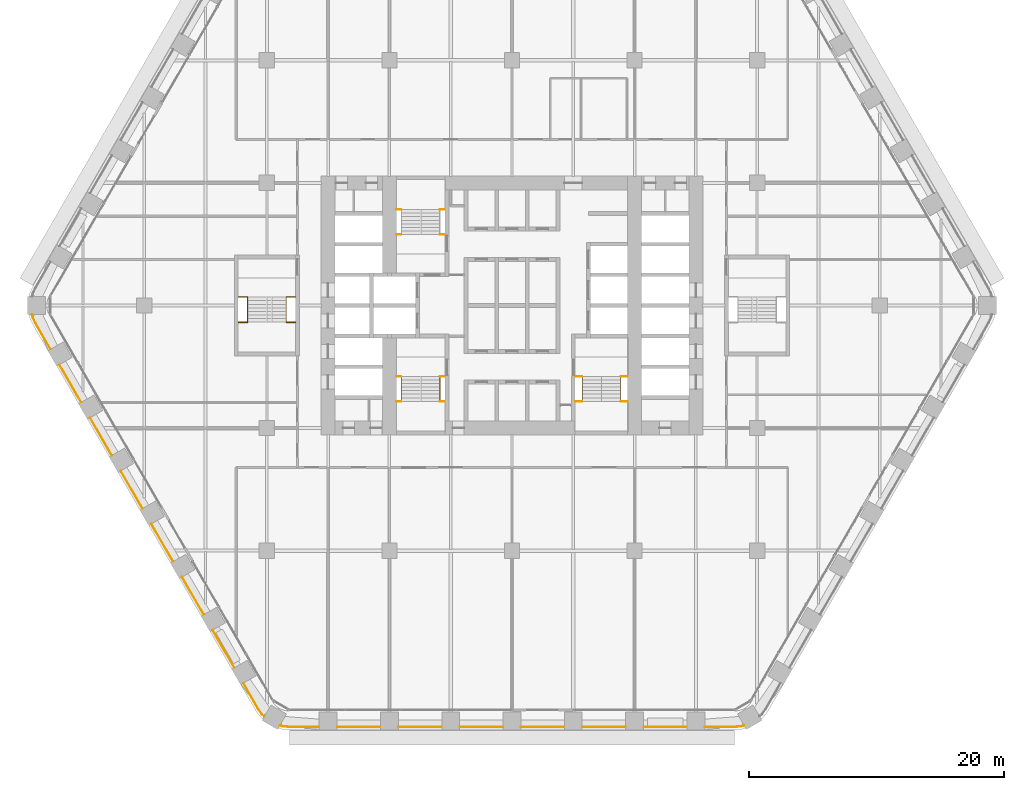
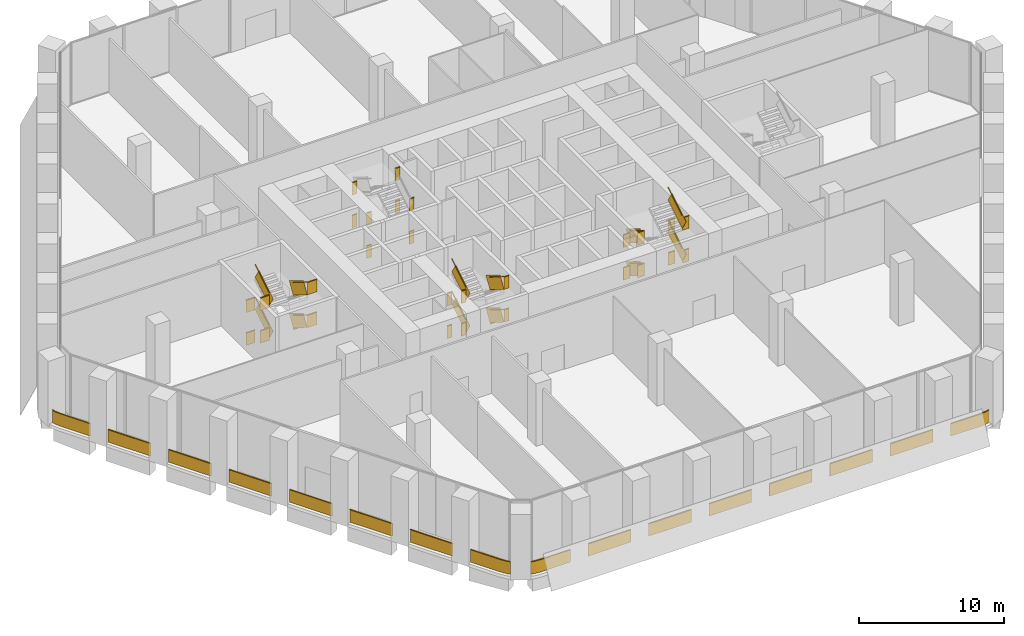
# One storey, part 26 of 27: 9 railings.
"""IFC4 building model written with IfcOpenShell, lengths in metres."""

from ifc_helpers import new_model, si_unit, direction, frame, frame_2d, origin, origin_2d, place, context, subcontext, project, spatial, rectangle, extrude, material, type_object, element, save


model = new_model("IFC4")

# Units and contexts
model_context = context("Model", 3, precision=1e-05, world=origin(), true_north=direction((0.0, 1.0)))
body_context = subcontext(model_context, "Body", "Model", "MODEL_VIEW")
ifc_project = project(units=[si_unit("LENGTHUNIT", "METRE"), si_unit("AREAUNIT", "SQUARE_METRE"), si_unit("VOLUMEUNIT", "CUBIC_METRE"), si_unit("PLANEANGLEUNIT", "RADIAN"), si_unit("MASSUNIT", "GRAM", prefix="KILO")], contexts=[model_context])

# Site, building, storey
site_placement = place(None, origin())
site = spatial("IfcSite", under=ifc_project, at=site_placement, CompositionType="ELEMENT")
building_placement = place(site_placement, origin())
building = spatial("IfcBuilding", under=site, at=building_placement, Name="Kolab Exchange Tower", CompositionType="ELEMENT")
storey_placement = place(building_placement, frame((0.0, 0.0, 27.89990234375)))
storey = spatial("IfcBuildingStorey", under=building, at=storey_placement, Name="L05", CompositionType="ELEMENT", Elevation=27.89990234375)

# Railings
ifc_material_1 = material(Name="Stainless steel 316", Category="steel")
railing_type_1 = type_object("IfcRailingType", Name="GUARD 1100", PredefinedType="GUARDRAIL", material=ifc_material_1)
railing_1_placement = place(storey_placement, frame((-9.050048828125, 5.550048828125, 0.0)))
element("IfcRailing", 1, at=railing_1_placement, inside=storey, type_object=railing_type_1, Name="Guard ST1", PredefinedType="GUARDRAIL", context=body_context, shape_type="SweptSolid", body=[
    extrude(rectangle(XDim=0.05, YDim=0.05, at=origin_2d()), frame((0.0, 0.0, 1.0751953125), z_axis=(1.0, 0.0, 0.0), x_axis=(0.0, 1.0, 0.0)), (0.0, 0.0, 1.0), 0.39013671875),
    extrude(rectangle(XDim=0.012, YDim=1.05009765625, at=frame_2d((0.0, 0.525146484375))), frame((0.0, 0.0, 0.0), z_axis=(1.0, 0.0, 0.0), x_axis=(0.0, 1.0, 0.0)), (0.0, 0.0, 1.0), 0.39013671875),
    extrude(rectangle(XDim=0.05, YDim=0.05, at=origin_2d()), frame((3.41015625, 0.0, 1.0751953125), z_axis=(1.0, 0.0, 0.0), x_axis=(0.0, 1.0, 0.0)), (0.0, 0.0, 1.0), 0.389892578125),
    extrude(rectangle(XDim=0.012, YDim=1.05009765625, at=frame_2d((0.0, 0.525146484375))), frame((3.41015625, 0.0, 0.0), z_axis=(1.0, 0.0, 0.0), x_axis=(0.0, 1.0, 0.0)), (0.0, 0.0, 1.0), 0.389892578125),
    extrude(rectangle(XDim=0.05, YDim=0.05, at=origin_2d()), frame((0.0, 1.9599609375, 2.4501953125), z_axis=(1.0, 0.0, 0.0), x_axis=(0.0, 1.0, 0.0)), (0.0, 0.0, 1.0), 0.39013671875),
    extrude(rectangle(XDim=0.012, YDim=1.05009765625, at=frame_2d((0.0, 0.525146484375))), frame((0.0, 1.9599609375, 1.375), z_axis=(1.0, 0.0, 0.0), x_axis=(0.0, 1.0, 0.0)), (0.0, 0.0, 1.0), 0.39013671875),
    extrude(rectangle(XDim=0.05, YDim=0.05, at=origin_2d()), frame((3.41015625, 1.9599609375, 2.4501953125), z_axis=(1.0, 0.0, 0.0), x_axis=(0.0, 1.0, 0.0)), (0.0, 0.0, 1.0), 0.389892578125),
    extrude(rectangle(XDim=0.012, YDim=1.05009765625, at=frame_2d((0.0, 0.525146484375))), frame((3.41015625, 1.9599609375, 1.375), z_axis=(1.0, 0.0, 0.0), x_axis=(0.0, 1.0, 0.0)), (0.0, 0.0, 1.0), 0.389892578125),
    extrude(rectangle(XDim=0.05, YDim=0.05, at=origin_2d()), frame((0.0, 0.0, 3.8251953125), z_axis=(1.0, 0.0, 0.0), x_axis=(0.0, 1.0, 0.0)), (0.0, 0.0, 1.0), 0.39013671875),
    extrude(rectangle(XDim=0.012, YDim=1.05009765625, at=frame_2d((0.0, 0.525146484375))), frame((0.0, 0.0, 2.75), z_axis=(1.0, 0.0, 0.0), x_axis=(0.0, 1.0, 0.0)), (0.0, 0.0, 1.0), 0.39013671875),
    extrude(rectangle(XDim=0.05, YDim=0.05, at=origin_2d()), frame((3.41015625, 0.0, 3.8251953125), z_axis=(1.0, 0.0, 0.0), x_axis=(0.0, 1.0, 0.0)), (0.0, 0.0, 1.0), 0.389892578125),
    extrude(rectangle(XDim=0.012, YDim=1.05009765625, at=frame_2d((0.0, 0.525146484375))), frame((3.41015625, 0.0, 2.75), z_axis=(1.0, 0.0, 0.0), x_axis=(0.0, 1.0, 0.0)), (0.0, 0.0, 1.0), 0.389892578125),
    extrude(rectangle(XDim=0.05, YDim=0.05, at=origin_2d()), frame((0.0, 1.9599609375, 5.2001953125), z_axis=(1.0, 0.0, 0.0), x_axis=(0.0, 1.0, 0.0)), (0.0, 0.0, 1.0), 0.39013671875),
    extrude(rectangle(XDim=0.012, YDim=1.05009765625, at=frame_2d((0.0, 0.525146484375))), frame((0.0, 1.9599609375, 4.125), z_axis=(1.0, 0.0, 0.0), x_axis=(0.0, 1.0, 0.0)), (0.0, 0.0, 1.0), 0.39013671875),
    extrude(rectangle(XDim=0.05, YDim=0.05, at=origin_2d()), frame((3.41015625, 1.9599609375, 5.2001953125), z_axis=(1.0, 0.0, 0.0), x_axis=(0.0, 1.0, 0.0)), (0.0, 0.0, 1.0), 0.389892578125),
    extrude(rectangle(XDim=0.012, YDim=1.05009765625, at=frame_2d((0.0, 0.525146484375))), frame((3.41015625, 1.9599609375, 4.125), z_axis=(1.0, 0.0, 0.0), x_axis=(0.0, 1.0, 0.0)), (0.0, 0.0, 1.0), 0.389892578125),
])
railing_2_placement = place(storey_placement, frame((-9.050048828125, -5.550048828125, 0.0)))
element("IfcRailing", 2, at=railing_2_placement, inside=storey, type_object=railing_type_1, Name="Guard ST3", PredefinedType="GUARDRAIL", context=body_context, shape_type="SweptSolid", body=[
    extrude(rectangle(XDim=0.05, YDim=0.05, at=origin_2d()), frame((0.0, 0.0, 1.0751953125), z_axis=(1.0, 0.0, 0.0), x_axis=(0.0, 1.0, 0.0)), (0.0, 0.0, 1.0), 0.39013671875),
    extrude(rectangle(XDim=0.012, YDim=1.05009765625, at=frame_2d((0.0, 0.525146484375))), frame((0.0, 0.0, 0.0), z_axis=(1.0, 0.0, 0.0), x_axis=(0.0, 1.0, 0.0)), (0.0, 0.0, 1.0), 0.39013671875),
    extrude(rectangle(XDim=0.05, YDim=0.05, at=origin_2d()), frame((3.41015625, 0.0, 1.0751953125), z_axis=(1.0, 0.0, 0.0), x_axis=(0.0, 1.0, 0.0)), (0.0, 0.0, 1.0), 0.389892578125),
    extrude(rectangle(XDim=0.012, YDim=1.05009765625, at=frame_2d((0.0, 0.525146484375))), frame((3.41015625, 0.0, 0.0), z_axis=(1.0, 0.0, 0.0), x_axis=(0.0, 1.0, 0.0)), (0.0, 0.0, 1.0), 0.389892578125),
    extrude(rectangle(XDim=0.05, YDim=0.05, at=origin_2d()), frame((0.0, -1.9599609375, 2.4501953125), z_axis=(1.0, 0.0, 0.0), x_axis=(0.0, 1.0, 0.0)), (0.0, 0.0, 1.0), 0.39013671875),
    extrude(rectangle(XDim=0.012, YDim=1.05009765625, at=frame_2d((0.0, 0.525146484375))), frame((0.0, -1.9599609375, 1.375), z_axis=(1.0, 0.0, 0.0), x_axis=(0.0, 1.0, 0.0)), (0.0, 0.0, 1.0), 0.39013671875),
    extrude(rectangle(XDim=0.05, YDim=0.05, at=origin_2d()), frame((3.41015625, -1.9599609375, 2.4501953125), z_axis=(1.0, 0.0, 0.0), x_axis=(0.0, 1.0, 0.0)), (0.0, 0.0, 1.0), 0.389892578125),
    extrude(rectangle(XDim=0.012, YDim=1.05009765625, at=frame_2d((0.0, 0.525146484375))), frame((3.41015625, -1.9599609375, 1.375), z_axis=(1.0, 0.0, 0.0), x_axis=(0.0, 1.0, 0.0)), (0.0, 0.0, 1.0), 0.389892578125),
    extrude(rectangle(XDim=0.05, YDim=0.05, at=origin_2d()), frame((0.0, 0.0, 3.8251953125), z_axis=(1.0, 0.0, 0.0), x_axis=(0.0, 1.0, 0.0)), (0.0, 0.0, 1.0), 0.39013671875),
    extrude(rectangle(XDim=0.012, YDim=1.05009765625, at=frame_2d((0.0, 0.525146484375))), frame((0.0, 0.0, 2.75), z_axis=(1.0, 0.0, 0.0), x_axis=(0.0, 1.0, 0.0)), (0.0, 0.0, 1.0), 0.39013671875),
    extrude(rectangle(XDim=0.05, YDim=0.05, at=origin_2d()), frame((3.41015625, 0.0, 3.8251953125), z_axis=(1.0, 0.0, 0.0), x_axis=(0.0, 1.0, 0.0)), (0.0, 0.0, 1.0), 0.389892578125),
    extrude(rectangle(XDim=0.012, YDim=1.05009765625, at=frame_2d((0.0, 0.525146484375))), frame((3.41015625, 0.0, 2.75), z_axis=(1.0, 0.0, 0.0), x_axis=(0.0, 1.0, 0.0)), (0.0, 0.0, 1.0), 0.389892578125),
    extrude(rectangle(XDim=0.05, YDim=0.05, at=origin_2d()), frame((0.0, -1.9599609375, 5.2001953125), z_axis=(1.0, 0.0, 0.0), x_axis=(0.0, 1.0, 0.0)), (0.0, 0.0, 1.0), 0.39013671875),
    extrude(rectangle(XDim=0.012, YDim=1.05009765625, at=frame_2d((0.0, 0.525146484375))), frame((0.0, -1.9599609375, 4.125), z_axis=(1.0, 0.0, 0.0), x_axis=(0.0, 1.0, 0.0)), (0.0, 0.0, 1.0), 0.39013671875),
    extrude(rectangle(XDim=0.05, YDim=0.05, at=origin_2d()), frame((3.41015625, -1.9599609375, 5.2001953125), z_axis=(1.0, 0.0, 0.0), x_axis=(0.0, 1.0, 0.0)), (0.0, 0.0, 1.0), 0.389892578125),
    extrude(rectangle(XDim=0.012, YDim=1.05009765625, at=frame_2d((0.0, 0.525146484375))), frame((3.41015625, -1.9599609375, 4.125), z_axis=(1.0, 0.0, 0.0), x_axis=(0.0, 1.0, 0.0)), (0.0, 0.0, 1.0), 0.389892578125),
])
railing_3_placement = place(storey_placement, frame((-5.639892578125, -5.550048828125, 0.172119140625)))
element("IfcRailing", 3, at=railing_3_placement, inside=storey, type_object=railing_type_1, Name="Handrail guard ST3", PredefinedType="GUARDRAIL", context=body_context, shape_type="SweptSolid", body=[
    extrude(rectangle(XDim=0.05, YDim=0.05, at=origin_2d()), frame((0.0, 0.0, 1.0751953125), z_axis=(0.0, -0.852288308005, 0.523072308613), x_axis=(1.0, 0.0, 0.0)), (0.0, 0.0, 1.0), 2.299560546875),
    extrude(rectangle(XDim=0.012, YDim=1.05009765625, at=frame_2d((0.0, 0.525146484375))), frame((0.0, 0.0, 0.0), z_axis=(0.0, -0.852288308005, 0.523072308613), x_axis=(1.0, 0.0, 0.0)), (0.0, 0.0, 1.0), 2.299560546875),
    extrude(rectangle(XDim=0.05, YDim=0.05, at=origin_2d()), frame((-3.02001953125, -1.9599609375, 2.4501953125), z_axis=(0.0, 0.852288308005, 0.523072308613), x_axis=(-1.0, 0.0, 0.0)), (0.0, 0.0, 1.0), 2.299560546875),
    extrude(rectangle(XDim=0.012, YDim=1.05009765625, at=frame_2d((0.0, 0.525146484375))), frame((-3.02001953125, -1.9599609375, 1.375), z_axis=(0.0, 0.852288308005, 0.523072308613), x_axis=(-1.0, 0.0, 0.0)), (0.0, 0.0, 1.0), 2.299560546875),
    extrude(rectangle(XDim=0.05, YDim=0.05, at=origin_2d()), frame((0.0, 0.0, 3.8251953125), z_axis=(0.0, -0.852288308005, 0.523072308613), x_axis=(1.0, 0.0, 0.0)), (0.0, 0.0, 1.0), 2.299560546875),
    extrude(rectangle(XDim=0.012, YDim=1.05009765625, at=frame_2d((0.0, 0.525146484375))), frame((0.0, 0.0, 2.75), z_axis=(0.0, -0.852288308005, 0.523072308613), x_axis=(1.0, 0.0, 0.0)), (0.0, 0.0, 1.0), 2.299560546875),
    extrude(rectangle(XDim=0.05, YDim=0.05, at=origin_2d()), frame((-3.02001953125, -1.9599609375, 5.2001953125), z_axis=(0.0, 0.852288308005, 0.523072308613), x_axis=(-1.0, 0.0, 0.0)), (0.0, 0.0, 1.0), 2.299560546875),
    extrude(rectangle(XDim=0.012, YDim=1.05009765625, at=frame_2d((0.0, 0.525146484375))), frame((-3.02001953125, -1.9599609375, 4.125), z_axis=(0.0, 0.852288308005, 0.523072308613), x_axis=(-1.0, 0.0, 0.0)), (0.0, 0.0, 1.0), 2.299560546875),
])
railing_4_placement = place(storey_placement, frame((4.949951171875, -5.550048828125, 0.0)))
element("IfcRailing", 4, at=railing_4_placement, inside=storey, type_object=railing_type_1, Name="Guard ST2", PredefinedType="GUARDRAIL", context=body_context, shape_type="SweptSolid", body=[
    extrude(rectangle(XDim=0.05, YDim=0.05, at=origin_2d()), frame((0.0, 0.0, 1.0751953125), z_axis=(1.0, 0.0, 0.0), x_axis=(0.0, 1.0, 0.0)), (0.0, 0.0, 1.0), 0.5400390625),
    extrude(rectangle(XDim=0.012, YDim=1.05009765625, at=frame_2d((0.0, 0.525146484375))), frame((0.0, 0.0, 0.0), z_axis=(1.0, 0.0, 0.0), x_axis=(0.0, 1.0, 0.0)), (0.0, 0.0, 1.0), 0.5400390625),
    extrude(rectangle(XDim=0.05, YDim=0.05, at=origin_2d()), frame((3.56005859375, 0.0, 1.0751953125), z_axis=(1.0, 0.0, 0.0), x_axis=(0.0, 1.0, 0.0)), (0.0, 0.0, 1.0), 0.5400390625),
    extrude(rectangle(XDim=0.012, YDim=1.05009765625, at=frame_2d((0.0, 0.525146484375))), frame((3.56005859375, 0.0, 0.0), z_axis=(1.0, 0.0, 0.0), x_axis=(0.0, 1.0, 0.0)), (0.0, 0.0, 1.0), 0.5400390625),
    extrude(rectangle(XDim=0.05, YDim=0.05, at=origin_2d()), frame((0.0, -1.9599609375, 2.4501953125), z_axis=(1.0, 0.0, 0.0), x_axis=(0.0, 1.0, 0.0)), (0.0, 0.0, 1.0), 0.5400390625),
    extrude(rectangle(XDim=0.012, YDim=1.05009765625, at=frame_2d((0.0, 0.525146484375))), frame((0.0, -1.9599609375, 1.375), z_axis=(1.0, 0.0, 0.0), x_axis=(0.0, 1.0, 0.0)), (0.0, 0.0, 1.0), 0.5400390625),
    extrude(rectangle(XDim=0.05, YDim=0.05, at=origin_2d()), frame((3.56005859375, -1.9599609375, 2.4501953125), z_axis=(1.0, 0.0, 0.0), x_axis=(0.0, 1.0, 0.0)), (0.0, 0.0, 1.0), 0.5400390625),
    extrude(rectangle(XDim=0.012, YDim=1.05009765625, at=frame_2d((0.0, 0.525146484375))), frame((3.56005859375, -1.9599609375, 1.375), z_axis=(1.0, 0.0, 0.0), x_axis=(0.0, 1.0, 0.0)), (0.0, 0.0, 1.0), 0.5400390625),
    extrude(rectangle(XDim=0.05, YDim=0.05, at=origin_2d()), frame((0.0, 0.0, 3.8251953125), z_axis=(1.0, 0.0, 0.0), x_axis=(0.0, 1.0, 0.0)), (0.0, 0.0, 1.0), 0.5400390625),
    extrude(rectangle(XDim=0.012, YDim=1.05009765625, at=frame_2d((0.0, 0.525146484375))), frame((0.0, 0.0, 2.75), z_axis=(1.0, 0.0, 0.0), x_axis=(0.0, 1.0, 0.0)), (0.0, 0.0, 1.0), 0.5400390625),
    extrude(rectangle(XDim=0.05, YDim=0.05, at=origin_2d()), frame((3.56005859375, 0.0, 3.8251953125), z_axis=(1.0, 0.0, 0.0), x_axis=(0.0, 1.0, 0.0)), (0.0, 0.0, 1.0), 0.5400390625),
    extrude(rectangle(XDim=0.012, YDim=1.05009765625, at=frame_2d((0.0, 0.525146484375))), frame((3.56005859375, 0.0, 2.75), z_axis=(1.0, 0.0, 0.0), x_axis=(0.0, 1.0, 0.0)), (0.0, 0.0, 1.0), 0.5400390625),
    extrude(rectangle(XDim=0.05, YDim=0.05, at=origin_2d()), frame((0.0, -1.9599609375, 5.2001953125), z_axis=(1.0, 0.0, 0.0), x_axis=(0.0, 1.0, 0.0)), (0.0, 0.0, 1.0), 0.5400390625),
    extrude(rectangle(XDim=0.012, YDim=1.05009765625, at=frame_2d((0.0, 0.525146484375))), frame((0.0, -1.9599609375, 4.125), z_axis=(1.0, 0.0, 0.0), x_axis=(0.0, 1.0, 0.0)), (0.0, 0.0, 1.0), 0.5400390625),
    extrude(rectangle(XDim=0.05, YDim=0.05, at=origin_2d()), frame((3.56005859375, -1.9599609375, 5.2001953125), z_axis=(1.0, 0.0, 0.0), x_axis=(0.0, 1.0, 0.0)), (0.0, 0.0, 1.0), 0.5400390625),
    extrude(rectangle(XDim=0.012, YDim=1.05009765625, at=frame_2d((0.0, 0.525146484375))), frame((3.56005859375, -1.9599609375, 4.125), z_axis=(1.0, 0.0, 0.0), x_axis=(0.0, 1.0, 0.0)), (0.0, 0.0, 1.0), 0.5400390625),
])
railing_5_placement = place(storey_placement, frame((5.489990234375, -5.550048828125, 0.172119140625)))
element("IfcRailing", 5, at=railing_5_placement, inside=storey, type_object=railing_type_1, Name="Handrail guard ST2", PredefinedType="GUARDRAIL", context=body_context, shape_type="SweptSolid", body=[
    extrude(rectangle(XDim=0.05, YDim=0.05, at=origin_2d()), frame((0.0, 0.0, 1.0751953125), z_axis=(0.0, -0.852288308005, 0.523072308613), x_axis=(1.0, 0.0, 0.0)), (0.0, 0.0, 1.0), 2.299560546875),
    extrude(rectangle(XDim=0.012, YDim=1.05009765625, at=frame_2d((0.0, 0.525146484375))), frame((0.0, 0.0, 0.0), z_axis=(0.0, -0.852288308005, 0.523072308613), x_axis=(1.0, 0.0, 0.0)), (0.0, 0.0, 1.0), 2.299560546875),
    extrude(rectangle(XDim=0.05, YDim=0.05, at=origin_2d()), frame((3.02001953125, -1.9599609375, 2.4501953125), z_axis=(0.0, 0.852288308005, 0.523072308613), x_axis=(-1.0, 0.0, 0.0)), (0.0, 0.0, 1.0), 2.299560546875),
    extrude(rectangle(XDim=0.012, YDim=1.05009765625, at=frame_2d((0.0, 0.525146484375))), frame((3.02001953125, -1.9599609375, 1.375), z_axis=(0.0, 0.852288308005, 0.523072308613), x_axis=(-1.0, 0.0, 0.0)), (0.0, 0.0, 1.0), 2.299560546875),
    extrude(rectangle(XDim=0.05, YDim=0.05, at=origin_2d()), frame((0.0, 0.0, 3.8251953125), z_axis=(0.0, -0.852288308005, 0.523072308613), x_axis=(1.0, 0.0, 0.0)), (0.0, 0.0, 1.0), 2.299560546875),
    extrude(rectangle(XDim=0.012, YDim=1.05009765625, at=frame_2d((0.0, 0.525146484375))), frame((0.0, 0.0, 2.75), z_axis=(0.0, -0.852288308005, 0.523072308613), x_axis=(1.0, 0.0, 0.0)), (0.0, 0.0, 1.0), 2.299560546875),
    extrude(rectangle(XDim=0.05, YDim=0.05, at=origin_2d()), frame((3.02001953125, -1.9599609375, 5.2001953125), z_axis=(0.0, 0.852288308005, 0.523072308613), x_axis=(-1.0, 0.0, 0.0)), (0.0, 0.0, 1.0), 2.299560546875),
    extrude(rectangle(XDim=0.012, YDim=1.05009765625, at=frame_2d((0.0, 0.525146484375))), frame((3.02001953125, -1.9599609375, 4.125), z_axis=(0.0, 0.852288308005, 0.523072308613), x_axis=(-1.0, 0.0, 0.0)), (0.0, 0.0, 1.0), 2.299560546875),
])
railing_6_placement = place(storey_placement, frame((-21.449951171875, 0.64990234375, 0.0)))
element("IfcRailing", 6, at=railing_6_placement, inside=storey, type_object=railing_type_1, Name="Guard ST5", PredefinedType="GUARDRAIL", context=body_context, shape_type="SweptSolid", body=[
    extrude(rectangle(XDim=0.05, YDim=0.05, at=origin_2d()), frame((0.0, 0.0, 1.0751953125), z_axis=(1.0, 0.0, 0.0), x_axis=(0.0, 1.0, 0.0)), (0.0, 0.0, 1.0), 0.739990234375),
    extrude(rectangle(XDim=0.012, YDim=1.05009765625, at=frame_2d((0.0, 0.525146484375))), frame((0.0, 0.0, 0.0), z_axis=(1.0, 0.0, 0.0), x_axis=(0.0, 1.0, 0.0)), (0.0, 0.0, 1.0), 0.739990234375),
    extrude(rectangle(XDim=0.05, YDim=0.05, at=origin_2d()), frame((3.760009765625, 0.0, 1.0751953125), z_axis=(1.0, 0.0, 0.0), x_axis=(0.0, 1.0, 0.0)), (0.0, 0.0, 1.0), 0.739990234375),
    extrude(rectangle(XDim=0.012, YDim=1.05009765625, at=frame_2d((0.0, 0.525146484375))), frame((3.760009765625, 0.0, 0.0), z_axis=(1.0, 0.0, 0.0), x_axis=(0.0, 1.0, 0.0)), (0.0, 0.0, 1.0), 0.739990234375),
    extrude(rectangle(XDim=0.05, YDim=0.05, at=origin_2d()), frame((0.0, -1.9599609375, 2.4501953125), z_axis=(1.0, 0.0, 0.0), x_axis=(0.0, 1.0, 0.0)), (0.0, 0.0, 1.0), 0.739990234375),
    extrude(rectangle(XDim=0.012, YDim=1.05009765625, at=frame_2d((0.0, 0.525146484375))), frame((0.0, -1.9599609375, 1.375), z_axis=(1.0, 0.0, 0.0), x_axis=(0.0, 1.0, 0.0)), (0.0, 0.0, 1.0), 0.739990234375),
    extrude(rectangle(XDim=0.05, YDim=0.05, at=origin_2d()), frame((3.760009765625, -1.9599609375, 2.4501953125), z_axis=(1.0, 0.0, 0.0), x_axis=(0.0, 1.0, 0.0)), (0.0, 0.0, 1.0), 0.739990234375),
    extrude(rectangle(XDim=0.012, YDim=1.05009765625, at=frame_2d((0.0, 0.525146484375))), frame((3.760009765625, -1.9599609375, 1.375), z_axis=(1.0, 0.0, 0.0), x_axis=(0.0, 1.0, 0.0)), (0.0, 0.0, 1.0), 0.739990234375),
    extrude(rectangle(XDim=0.05, YDim=0.05, at=origin_2d()), frame((0.0, 0.0, 3.8251953125), z_axis=(1.0, 0.0, 0.0), x_axis=(0.0, 1.0, 0.0)), (0.0, 0.0, 1.0), 0.739990234375),
    extrude(rectangle(XDim=0.012, YDim=1.05009765625, at=frame_2d((0.0, 0.525146484375))), frame((0.0, 0.0, 2.75), z_axis=(1.0, 0.0, 0.0), x_axis=(0.0, 1.0, 0.0)), (0.0, 0.0, 1.0), 0.739990234375),
    extrude(rectangle(XDim=0.05, YDim=0.05, at=origin_2d()), frame((3.760009765625, 0.0, 3.8251953125), z_axis=(1.0, 0.0, 0.0), x_axis=(0.0, 1.0, 0.0)), (0.0, 0.0, 1.0), 0.739990234375),
    extrude(rectangle(XDim=0.012, YDim=1.05009765625, at=frame_2d((0.0, 0.525146484375))), frame((3.760009765625, 0.0, 2.75), z_axis=(1.0, 0.0, 0.0), x_axis=(0.0, 1.0, 0.0)), (0.0, 0.0, 1.0), 0.739990234375),
    extrude(rectangle(XDim=0.05, YDim=0.05, at=origin_2d()), frame((0.0, -1.9599609375, 5.2001953125), z_axis=(1.0, 0.0, 0.0), x_axis=(0.0, 1.0, 0.0)), (0.0, 0.0, 1.0), 0.739990234375),
    extrude(rectangle(XDim=0.012, YDim=1.05009765625, at=frame_2d((0.0, 0.525146484375))), frame((0.0, -1.9599609375, 4.125), z_axis=(1.0, 0.0, 0.0), x_axis=(0.0, 1.0, 0.0)), (0.0, 0.0, 1.0), 0.739990234375),
    extrude(rectangle(XDim=0.05, YDim=0.05, at=origin_2d()), frame((3.760009765625, -1.9599609375, 5.2001953125), z_axis=(1.0, 0.0, 0.0), x_axis=(0.0, 1.0, 0.0)), (0.0, 0.0, 1.0), 0.739990234375),
    extrude(rectangle(XDim=0.012, YDim=1.05009765625, at=frame_2d((0.0, 0.525146484375))), frame((3.760009765625, -1.9599609375, 4.125), z_axis=(1.0, 0.0, 0.0), x_axis=(0.0, 1.0, 0.0)), (0.0, 0.0, 1.0), 0.739990234375),
])
railing_7_placement = place(storey_placement, frame((-17.68994140625, 0.64990234375, 0.172119140625)))
element("IfcRailing", 7, at=railing_7_placement, inside=storey, type_object=railing_type_1, Name="Handrail guard ST5", PredefinedType="GUARDRAIL", context=body_context, shape_type="SweptSolid", body=[
    extrude(rectangle(XDim=0.05, YDim=0.05, at=origin_2d()), frame((0.0, 0.0, 1.0751953125), z_axis=(0.0, -0.852288308005, 0.523072308613), x_axis=(1.0, 0.0, 0.0)), (0.0, 0.0, 1.0), 2.299560546875),
    extrude(rectangle(XDim=0.012, YDim=1.05009765625, at=frame_2d((0.0, 0.525146484375))), frame((0.0, 0.0, 0.0), z_axis=(0.0, -0.852288308005, 0.523072308613), x_axis=(1.0, 0.0, 0.0)), (0.0, 0.0, 1.0), 2.299560546875),
    extrude(rectangle(XDim=0.05, YDim=0.05, at=origin_2d()), frame((-3.02001953125, -1.9599609375, 2.4501953125), z_axis=(0.0, 0.852288308005, 0.523072308613), x_axis=(-1.0, 0.0, 0.0)), (0.0, 0.0, 1.0), 2.299560546875),
    extrude(rectangle(XDim=0.012, YDim=1.05009765625, at=frame_2d((0.0, 0.525146484375))), frame((-3.02001953125, -1.9599609375, 1.375), z_axis=(0.0, 0.852288308005, 0.523072308613), x_axis=(-1.0, 0.0, 0.0)), (0.0, 0.0, 1.0), 2.299560546875),
    extrude(rectangle(XDim=0.05, YDim=0.05, at=origin_2d()), frame((0.0, 0.0, 3.8251953125), z_axis=(0.0, -0.852288308005, 0.523072308613), x_axis=(1.0, 0.0, 0.0)), (0.0, 0.0, 1.0), 2.299560546875),
    extrude(rectangle(XDim=0.012, YDim=1.05009765625, at=frame_2d((0.0, 0.525146484375))), frame((0.0, 0.0, 2.75), z_axis=(0.0, -0.852288308005, 0.523072308613), x_axis=(1.0, 0.0, 0.0)), (0.0, 0.0, 1.0), 2.299560546875),
    extrude(rectangle(XDim=0.05, YDim=0.05, at=origin_2d()), frame((-3.02001953125, -1.9599609375, 5.2001953125), z_axis=(0.0, 0.852288308005, 0.523072308613), x_axis=(-1.0, 0.0, 0.0)), (0.0, 0.0, 1.0), 2.299560546875),
    extrude(rectangle(XDim=0.012, YDim=1.05009765625, at=frame_2d((0.0, 0.525146484375))), frame((-3.02001953125, -1.9599609375, 4.125), z_axis=(0.0, 0.852288308005, 0.523072308613), x_axis=(-1.0, 0.0, 0.0)), (0.0, 0.0, 1.0), 2.299560546875),
])
ifc_material_2 = material(Name="Steel S235", Category="steel")
railing_type_2 = type_object("IfcRailingType", Name="GUARD 1100 GLASS BALUSTRADE AND STEEL TOP RAIL", PredefinedType="GUARDRAIL", material=ifc_material_2)
railing_8_placement = place(storey_placement, frame((-18.1953125, -32.896728515625, 0.0)))
element("IfcRailing", 8, at=railing_8_placement, inside=storey, type_object=railing_type_2, Name="Guard", PredefinedType="GUARDRAIL", context=body_context, shape_type="SweptSolid", body=[
    extrude(rectangle(XDim=0.05, YDim=0.05, at=origin_2d()), frame((0.0, 0.0, 1.0751953125), z_axis=(0.965952265455, -0.258720352624, 0.0), x_axis=(0.258720352624, 0.965952265455, 0.0)), (0.0, 0.0, 1.0), 0.258544921875),
    extrude(rectangle(XDim=0.012, YDim=1.05009765625, at=frame_2d((0.0, 0.525146484375))), frame((0.0, 0.0, 0.0), z_axis=(0.965952265455, -0.258720352624, 0.0), x_axis=(0.258720352624, 0.965952265455, 0.0)), (0.0, 0.0, 1.0), 0.258544921875),
    extrude(rectangle(XDim=0.05, YDim=0.05, at=origin_2d()), frame((0.249755859375, -0.06689453125, 1.0751953125), z_axis=(0.996200348447, -0.087091134757, 0.0), x_axis=(0.087091134757, 0.996200348447, 0.0)), (0.0, 0.0, 1.0), 0.479248046875),
    extrude(rectangle(XDim=0.012, YDim=1.05009765625, at=frame_2d((0.0, 0.525146484375))), frame((0.249755859375, -0.06689453125, 0.0), z_axis=(0.996200348447, -0.087091134757, 0.0), x_axis=(0.087091134757, 0.996200348447, 0.0)), (0.0, 0.0, 1.0), 0.479248046875),
    extrude(rectangle(XDim=0.05, YDim=0.05, at=origin_2d()), frame((0.727294921875, -0.108642578125, 1.0751953125), z_axis=(1.0, 0.0, 0.0), x_axis=(0.0, 1.0, 0.0)), (0.0, 0.0, 1.0), 2.367919921875),
    extrude(rectangle(XDim=0.012, YDim=1.05009765625, at=frame_2d((0.0, 0.525146484375))), frame((0.727294921875, -0.108642578125, 0.0), z_axis=(1.0, 0.0, 0.0), x_axis=(0.0, 1.0, 0.0)), (0.0, 0.0, 1.0), 2.367919921875),
    extrude(rectangle(XDim=0.05, YDim=0.05, at=origin_2d()), frame((4.495361328125, -0.108642578125, 1.0751953125), z_axis=(1.0, 0.0, 0.0), x_axis=(0.0, 1.0, 0.0)), (0.0, 0.0, 1.0), 3.39990234375),
    extrude(rectangle(XDim=0.012, YDim=1.05009765625, at=frame_2d((0.0, 0.525146484375))), frame((4.495361328125, -0.108642578125, 0.0), z_axis=(1.0, 0.0, 0.0), x_axis=(0.0, 1.0, 0.0)), (0.0, 0.0, 1.0), 3.39990234375),
    extrude(rectangle(XDim=0.05, YDim=0.05, at=origin_2d()), frame((9.29541015625, -0.108642578125, 1.0751953125), z_axis=(1.0, 0.0, 0.0), x_axis=(0.0, 1.0, 0.0)), (0.0, 0.0, 1.0), 3.39990234375),
    extrude(rectangle(XDim=0.012, YDim=1.05009765625, at=frame_2d((0.0, 0.525146484375))), frame((9.29541015625, -0.108642578125, 0.0), z_axis=(1.0, 0.0, 0.0), x_axis=(0.0, 1.0, 0.0)), (0.0, 0.0, 1.0), 3.39990234375),
    extrude(rectangle(XDim=0.05, YDim=0.05, at=origin_2d()), frame((14.09521484375, -0.108642578125, 1.0751953125), z_axis=(1.0, 0.0, 0.0), x_axis=(0.0, 1.0, 0.0)), (0.0, 0.0, 1.0), 3.400146484375),
    extrude(rectangle(XDim=0.012, YDim=1.05009765625, at=frame_2d((0.0, 0.525146484375))), frame((14.09521484375, -0.108642578125, 0.0), z_axis=(1.0, 0.0, 0.0), x_axis=(0.0, 1.0, 0.0)), (0.0, 0.0, 1.0), 3.400146484375),
    extrude(rectangle(XDim=0.05, YDim=0.05, at=origin_2d()), frame((18.895263671875, -0.108642578125, 1.0751953125), z_axis=(1.0, 0.0, 0.0), x_axis=(0.0, 1.0, 0.0)), (0.0, 0.0, 1.0), 3.400146484375),
    extrude(rectangle(XDim=0.012, YDim=1.05009765625, at=frame_2d((0.0, 0.525146484375))), frame((18.895263671875, -0.108642578125, 0.0), z_axis=(1.0, 0.0, 0.0), x_axis=(0.0, 1.0, 0.0)), (0.0, 0.0, 1.0), 3.400146484375),
    extrude(rectangle(XDim=0.05, YDim=0.05, at=origin_2d()), frame((23.6953125, -0.108642578125, 1.0751953125), z_axis=(1.0, 0.0, 0.0), x_axis=(0.0, 1.0, 0.0)), (0.0, 0.0, 1.0), 3.39990234375),
    extrude(rectangle(XDim=0.012, YDim=1.05009765625, at=frame_2d((0.0, 0.525146484375))), frame((23.6953125, -0.108642578125, 0.0), z_axis=(1.0, 0.0, 0.0), x_axis=(0.0, 1.0, 0.0)), (0.0, 0.0, 1.0), 3.39990234375),
    extrude(rectangle(XDim=0.05, YDim=0.05, at=origin_2d()), frame((28.495361328125, -0.108642578125, 1.0751953125), z_axis=(1.0, 0.0, 0.0), x_axis=(0.0, 1.0, 0.0)), (0.0, 0.0, 1.0), 3.39990234375),
    extrude(rectangle(XDim=0.012, YDim=1.05009765625, at=frame_2d((0.0, 0.525146484375))), frame((28.495361328125, -0.108642578125, 0.0), z_axis=(1.0, 0.0, 0.0), x_axis=(0.0, 1.0, 0.0)), (0.0, 0.0, 1.0), 3.39990234375),
    extrude(rectangle(XDim=0.05, YDim=0.05, at=origin_2d()), frame((33.29541015625, -0.108642578125, 1.0751953125), z_axis=(1.0, 0.0, 0.0), x_axis=(0.0, 1.0, 0.0)), (0.0, 0.0, 1.0), 2.367919921875),
    extrude(rectangle(XDim=0.012, YDim=1.05009765625, at=frame_2d((0.0, 0.525146484375))), frame((33.29541015625, -0.108642578125, 0.0), z_axis=(1.0, 0.0, 0.0), x_axis=(0.0, 1.0, 0.0)), (0.0, 0.0, 1.0), 2.367919921875),
    extrude(rectangle(XDim=0.05, YDim=0.05, at=origin_2d()), frame((35.663330078125, -0.108642578125, 1.0751953125), z_axis=(0.996200348447, 0.087091134757, 0.0), x_axis=(-0.087091134757, 0.996200348447, 0.0)), (0.0, 0.0, 1.0), 0.479248046875),
    extrude(rectangle(XDim=0.012, YDim=1.05009765625, at=frame_2d((0.0, 0.525146484375))), frame((35.663330078125, -0.108642578125, 0.0), z_axis=(0.996200348447, 0.087091134757, 0.0), x_axis=(-0.087091134757, 0.996200348447, 0.0)), (0.0, 0.0, 1.0), 0.479248046875),
    extrude(rectangle(XDim=0.05, YDim=0.05, at=origin_2d()), frame((36.140869140625, -0.06689453125, 1.0751953125), z_axis=(0.965952265455, 0.258720352624, 0.0), x_axis=(-0.258720352624, 0.965952265455, 0.0)), (0.0, 0.0, 1.0), 0.258544921875),
    extrude(rectangle(XDim=0.012, YDim=1.05009765625, at=frame_2d((0.0, 0.525146484375))), frame((36.140869140625, -0.06689453125, 0.0), z_axis=(0.965952265455, 0.258720352624, 0.0), x_axis=(-0.258720352624, 0.965952265455, 0.0)), (0.0, 0.0, 1.0), 0.258544921875),
])
railing_9_placement = place(storey_placement, frame((-37.5869140625, -0.690673828125, 0.0)))
element("IfcRailing", 9, at=railing_9_placement, inside=storey, type_object=railing_type_2, Name="Guard", PredefinedType="GUARDRAIL", context=body_context, shape_type="SweptSolid", body=[
    extrude(rectangle(XDim=0.05, YDim=0.05, at=origin_2d()), frame((0.0, 0.0, 1.0751953125), z_axis=(0.258484584798, -0.966015382601, 0.0), x_axis=(0.966015382601, 0.258484584798, 0.0)), (0.0, 0.0, 1.0), 0.2587890625),
    extrude(rectangle(XDim=0.012, YDim=1.05009765625, at=frame_2d((0.0, 0.525146484375))), frame((0.0, 0.0, 0.0), z_axis=(0.258484584798, -0.966015382601, 0.0), x_axis=(0.966015382601, 0.258484584798, 0.0)), (0.0, 0.0, 1.0), 0.2587890625),
    extrude(rectangle(XDim=0.05, YDim=0.05, at=origin_2d()), frame((0.06689453125, -0.25, 1.0751953125), z_axis=(0.422801802984, -0.906222177721, 0.0), x_axis=(0.906222177721, 0.422801802984, 0.0)), (0.0, 0.0, 1.0), 0.479248046875),
    extrude(rectangle(XDim=0.012, YDim=1.05009765625, at=frame_2d((0.0, 0.525146484375))), frame((0.06689453125, -0.25, 0.0), z_axis=(0.422801802984, -0.906222177721, 0.0), x_axis=(0.906222177721, 0.422801802984, 0.0)), (0.0, 0.0, 1.0), 0.479248046875),
    extrude(rectangle(XDim=0.05, YDim=0.05, at=origin_2d()), frame((0.26953125, -0.684326171875, 1.0751953125), z_axis=(0.499942602326, -0.866058539811, 0.0), x_axis=(0.866058539811, 0.499942602326, 0.0)), (0.0, 0.0, 1.0), 2.367919921875),
    extrude(rectangle(XDim=0.012, YDim=1.05009765625, at=frame_2d((0.0, 0.525146484375))), frame((0.26953125, -0.684326171875, 0.0), z_axis=(0.499942602326, -0.866058539811, 0.0), x_axis=(0.866058539811, 0.499942602326, 0.0)), (0.0, 0.0, 1.0), 2.367919921875),
    extrude(rectangle(XDim=0.05, YDim=0.05, at=origin_2d()), frame((2.1533203125, -3.947509765625, 1.0751953125), z_axis=(0.500062241894, -0.865989465428, 0.0), x_axis=(0.865989465428, 0.500062241894, 0.0)), (0.0, 0.0, 1.0), 3.39990234375),
    extrude(rectangle(XDim=0.012, YDim=1.05009765625, at=frame_2d((0.0, 0.525146484375))), frame((2.1533203125, -3.947509765625, 0.0), z_axis=(0.500062241894, -0.865989465428, 0.0), x_axis=(0.865989465428, 0.500062241894, 0.0)), (0.0, 0.0, 1.0), 3.39990234375),
    extrude(rectangle(XDim=0.05, YDim=0.05, at=origin_2d()), frame((4.553466796875, -8.1044921875, 1.0751953125), z_axis=(0.500008388397, -0.866020560687, 0.0), x_axis=(0.866020560687, 0.500008388397, 0.0)), (0.0, 0.0, 1.0), 3.39990234375),
    extrude(rectangle(XDim=0.012, YDim=1.05009765625, at=frame_2d((0.0, 0.525146484375))), frame((4.553466796875, -8.1044921875, 0.0), z_axis=(0.500008388397, -0.866020560687, 0.0), x_axis=(0.866020560687, 0.500008388397, 0.0)), (0.0, 0.0, 1.0), 3.39990234375),
    extrude(rectangle(XDim=0.05, YDim=0.05, at=origin_2d()), frame((6.953369140625, -12.26123046875, 1.0751953125), z_axis=(0.499977295307, -0.866038511948, 0.0), x_axis=(0.866038511948, 0.499977295307, 0.0)), (0.0, 0.0, 1.0), 3.400146484375),
    extrude(rectangle(XDim=0.012, YDim=1.05009765625, at=frame_2d((0.0, 0.525146484375))), frame((6.953369140625, -12.26123046875, 0.0), z_axis=(0.499977295307, -0.866038511948, 0.0), x_axis=(0.866038511948, 0.499977295307, 0.0)), (0.0, 0.0, 1.0), 3.400146484375),
    extrude(rectangle(XDim=0.05, YDim=0.05, at=origin_2d()), frame((9.353515625, -16.418212890625, 1.0751953125), z_axis=(0.499977295307, -0.866038511948, 0.0), x_axis=(0.866038511948, 0.499977295307, 0.0)), (0.0, 0.0, 1.0), 3.400146484375),
    extrude(rectangle(XDim=0.012, YDim=1.05009765625, at=frame_2d((0.0, 0.525146484375))), frame((9.353515625, -16.418212890625, 0.0), z_axis=(0.499977295307, -0.866038511948, 0.0), x_axis=(0.866038511948, 0.499977295307, 0.0)), (0.0, 0.0, 1.0), 3.400146484375),
    extrude(rectangle(XDim=0.05, YDim=0.05, at=origin_2d()), frame((11.75341796875, -20.5751953125, 1.0751953125), z_axis=(0.500008388397, -0.866020560687, 0.0), x_axis=(0.866020560687, 0.500008388397, 0.0)), (0.0, 0.0, 1.0), 3.39990234375),
    extrude(rectangle(XDim=0.012, YDim=1.05009765625, at=frame_2d((0.0, 0.525146484375))), frame((11.75341796875, -20.5751953125, 0.0), z_axis=(0.500008388397, -0.866020560687, 0.0), x_axis=(0.866020560687, 0.500008388397, 0.0)), (0.0, 0.0, 1.0), 3.39990234375),
    extrude(rectangle(XDim=0.05, YDim=0.05, at=origin_2d()), frame((14.1533203125, -24.732177734375, 1.0751953125), z_axis=(0.500062241894, -0.865989465428, 0.0), x_axis=(0.865989465428, 0.500062241894, 0.0)), (0.0, 0.0, 1.0), 3.39990234375),
    extrude(rectangle(XDim=0.012, YDim=1.05009765625, at=frame_2d((0.0, 0.525146484375))), frame((14.1533203125, -24.732177734375, 0.0), z_axis=(0.500062241894, -0.865989465428, 0.0), x_axis=(0.865989465428, 0.500062241894, 0.0)), (0.0, 0.0, 1.0), 3.39990234375),
    extrude(rectangle(XDim=0.05, YDim=0.05, at=origin_2d()), frame((16.553466796875, -28.888916015625, 1.0751953125), z_axis=(0.499942602326, -0.866058539811, 0.0), x_axis=(0.866058539811, 0.499942602326, 0.0)), (0.0, 0.0, 1.0), 2.367919921875),
    extrude(rectangle(XDim=0.012, YDim=1.05009765625, at=frame_2d((0.0, 0.525146484375))), frame((16.553466796875, -28.888916015625, 0.0), z_axis=(0.499942602326, -0.866058539811, 0.0), x_axis=(0.866058539811, 0.499942602326, 0.0)), (0.0, 0.0, 1.0), 2.367919921875),
    extrude(rectangle(XDim=0.05, YDim=0.05, at=origin_2d()), frame((17.7373046875, -30.939697265625, 1.0751953125), z_axis=(0.573940749815, -0.818896828485, 0.0), x_axis=(0.818896828485, 0.573940749815, 0.0)), (0.0, 0.0, 1.0), 0.4794921875),
    extrude(rectangle(XDim=0.012, YDim=1.05009765625, at=frame_2d((0.0, 0.525146484375))), frame((17.7373046875, -30.939697265625, 0.0), z_axis=(0.573940749815, -0.818896828485, 0.0), x_axis=(0.818896828485, 0.573940749815, 0.0)), (0.0, 0.0, 1.0), 0.4794921875),
    extrude(rectangle(XDim=0.05, YDim=0.05, at=origin_2d()), frame((18.012451171875, -31.332275390625, 1.0751953125), z_axis=(0.706634904947, -0.707578342737, 0.0), x_axis=(0.707578342737, 0.706634904947, 0.0)), (0.0, 0.0, 1.0), 0.2587890625),
    extrude(rectangle(XDim=0.012, YDim=1.05009765625, at=frame_2d((0.0, 0.525146484375))), frame((18.012451171875, -31.332275390625, 0.0), z_axis=(0.706634904947, -0.707578342737, 0.0), x_axis=(0.707578342737, 0.706634904947, 0.0)), (0.0, 0.0, 1.0), 0.2587890625),
])

save(model, "model.ifc")
